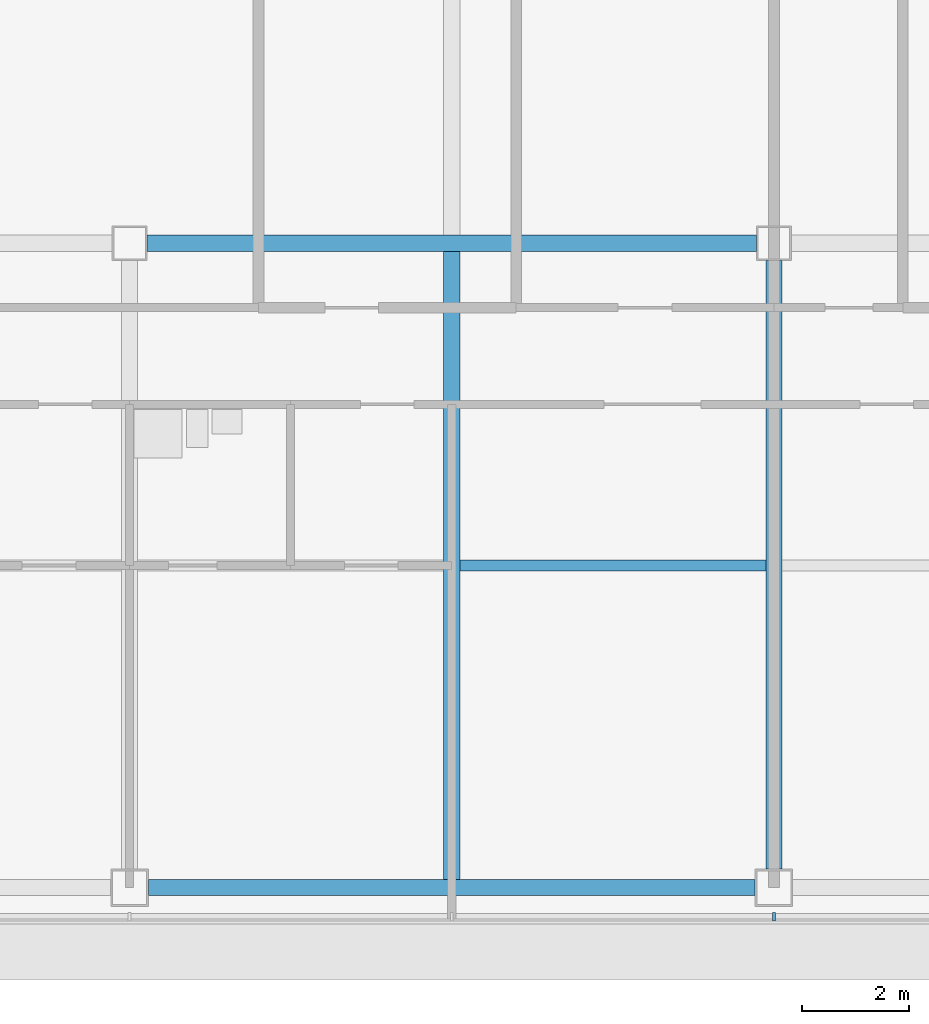
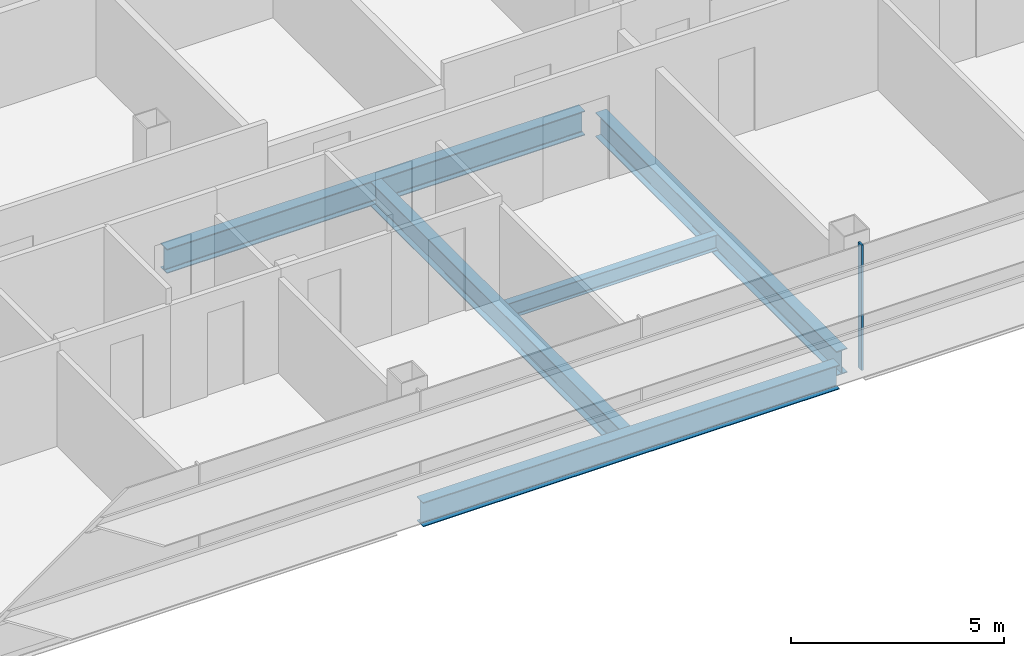
# One storey, part 3 of 26: 5 beams, 1 member, 1 element without a shape of its own.
"""IFC4 building model written with IfcOpenShell, lengths in metres."""

from ifc_helpers import new_model, si_unit, direction, frame, origin, origin_2d, place, context, subcontext, project, spatial, rectangle, i_section, extrude, material, material_profile, profile_set, type_object, element, aggregate, save


model = new_model("IFC4")

# Units and contexts
model_context = context("Model", 3, precision=1e-05, world=origin(), true_north=direction((0.0, 1.0)))
body_context = subcontext(model_context, "Body", "Model", "MODEL_VIEW")
ifc_project = project(units=[si_unit("LENGTHUNIT", "METRE"), si_unit("AREAUNIT", "SQUARE_METRE"), si_unit("VOLUMEUNIT", "CUBIC_METRE"), si_unit("PLANEANGLEUNIT", "RADIAN"), si_unit("MASSUNIT", "GRAM", prefix="KILO")], contexts=[model_context])

# Site, building, storey
site_placement = place(None, origin())
site = spatial("IfcSite", under=ifc_project, at=site_placement, CompositionType="ELEMENT")
building_placement = place(site_placement, origin())
building = spatial("IfcBuilding", under=site, at=building_placement, Name="Sorahane Residences", CompositionType="ELEMENT")
storey_placement = place(building_placement, frame((0.0, 0.0, 154.60009765625)))
storey = spatial("IfcBuildingStorey", under=building, at=storey_placement, Name="L35", CompositionType="ELEMENT", Elevation=154.60009765625)

# Curtain wall, member
ifc_material_1 = material(Name="Dark low-e glass and black anodised aluminium", Category="aluminium")
curtain_wall_type = type_object("IfcCurtainWallType", Name="Curtain wall CW-1 Typical unitised wall", PredefinedType="NOTDEFINED", material=ifc_material_1)
curtain_wall_placement = place(storey_placement, origin())
curtain_wall = element("IfcCurtainWall", 1, at=curtain_wall_placement, inside=storey, type_object=curtain_wall_type, Name="CW-1 curtain wall L35 S1", PredefinedType="NOTDEFINED")
ifc_material_2 = material(Name="Black anodised aluminium", Category="aluminium")
ifc_material_profile_1 = material_profile(ifc_material_2, rectangle(XDim=0.159912109375, YDim=0.050048828125, at=origin_2d()), Name="Curtain wall mullion CW-1 black anodised aluminium 50x160")
ifc_profile_set_1 = profile_set([ifc_material_profile_1], Name="Black anodised aluminium")
member_type = type_object("IfcMemberType", Name="Curtain wall mullion CW-1 black anodised aluminium 50x160", PredefinedType="MULLION", material=ifc_profile_set_1)
member_placement = place(storey_placement, frame((24.0, -0.5400390625, -0.18017578125), z_axis=(0.0, 0.0, 1.0), x_axis=(0.0, -1.0, 0.0)))
member = element("IfcMember", 2, at=member_placement, type_object=member_type, Name="CW-1 mullion L35 S1.5", PredefinedType="MULLION", context=body_context, shape_type="SweptSolid", body=[
    extrude(rectangle(XDim=0.159912109375, YDim=0.050048828125, at=origin_2d()), origin(), (0.0, 0.0, 1.0), 3.60009765625),
])
aggregate(curtain_wall, [member])

# Beams
ifc_material_3 = material(Name="Steel Q355B", Category="steel")
ifc_material_profile_2 = material_profile(ifc_material_3, i_section(OverallWidth=0.199951171875, OverallDepth=0.449951171875, WebThickness=0.009033203125, FlangeThickness=0.013916015625, FilletRadius=0.02001953125, at=origin_2d()), Name="HN 450x200x9x14")
ifc_profile_set_2 = profile_set([ifc_material_profile_2], Name="Steel Q355B")
beam_type_1 = type_object("IfcBeamType", Name="Steel floor beam HN 450x200x9x14 Q355B", PredefinedType="BEAM", material=ifc_profile_set_2)
beam_1_placement = place(storey_placement, frame((18.14990234375, 6.0, -0.405029296875), z_axis=(1.0, 0.0, 0.0), x_axis=(0.0, 1.0, 0.0)))
element("IfcBeam", 3, at=beam_1_placement, inside=storey, type_object=beam_type_1, Name="Beam L35 072", PredefinedType="BEAM", context=body_context, shape_type="SweptSolid", body=[
    extrude(i_section(OverallWidth=0.199951171875, OverallDepth=0.449951171875, WebThickness=0.009033203125, FlangeThickness=0.013916015625, FilletRadius=0.02001953125, at=origin_2d()), origin(), (0.0, 0.0, 1.0), 5.7001953125),
])
ifc_material_4 = material(Name="Steel Q355B", Category="steel")
ifc_material_profile_3 = material_profile(ifc_material_4, i_section(OverallWidth=0.300048828125, OverallDepth=0.699951171875, WebThickness=0.012939453125, FlangeThickness=0.02392578125, FilletRadius=0.028076171875, at=origin_2d()), Name="HN 700x300x13x24")
ifc_profile_set_3 = profile_set([ifc_material_profile_3], Name="Steel Q355B")
beam_type_2 = type_object("IfcBeamType", Name="Steel floor beam HN 700x300x13x24 Q355B", PredefinedType="BEAM", material=ifc_profile_set_3)
beam_2_placement = place(storey_placement, frame((12.35009765625, 0.0, -0.530029296875), z_axis=(1.0, 0.0, 0.0), x_axis=(0.0, 1.0, 0.0)))
element("IfcBeam", 4, at=beam_2_placement, inside=storey, type_object=beam_type_2, Name="Beam L35 001", PredefinedType="BEAM", context=body_context, shape_type="SweptSolid", body=[
    extrude(i_section(OverallWidth=0.300048828125, OverallDepth=0.699951171875, WebThickness=0.012939453125, FlangeThickness=0.02392578125, FilletRadius=0.028076171875, at=origin_2d()), origin(), (0.0, 0.0, 1.0), 11.2998046875),
])
beam_3_placement = place(storey_placement, frame((12.324951171875, 12.0, -0.530029296875), z_axis=(1.0, 0.0, 0.0), x_axis=(0.0, 1.0, 0.0)))
element("IfcBeam", 5, at=beam_3_placement, inside=storey, type_object=beam_type_2, Name="Beam L35 007", PredefinedType="BEAM", context=body_context, shape_type="SweptSolid", body=[
    extrude(i_section(OverallWidth=0.300048828125, OverallDepth=0.699951171875, WebThickness=0.012939453125, FlangeThickness=0.02392578125, FilletRadius=0.028076171875, at=origin_2d()), origin(), (0.0, 0.0, 1.0), 11.35009765625),
])
beam_4_placement = place(storey_placement, frame((18.0, 0.14990234375, -0.530029296875), z_axis=(0.0, 1.0, 0.0), x_axis=(-1.0, 0.0, 0.0)))
element("IfcBeam", 6, at=beam_4_placement, inside=storey, type_object=beam_type_2, Name="Beam L35 036", PredefinedType="BEAM", context=body_context, shape_type="SweptSolid", body=[
    extrude(i_section(OverallWidth=0.300048828125, OverallDepth=0.699951171875, WebThickness=0.012939453125, FlangeThickness=0.02392578125, FilletRadius=0.028076171875, at=origin_2d()), origin(), (0.0, 0.0, 1.0), 11.7001953125),
])
beam_5_placement = place(storey_placement, frame((24.0, 0.35009765625, -0.530029296875), z_axis=(0.0, 1.0, 0.0), x_axis=(-1.0, 0.0, 0.0)))
element("IfcBeam", 7, at=beam_5_placement, inside=storey, type_object=beam_type_2, Name="Beam L35 042", PredefinedType="BEAM", context=body_context, shape_type="SweptSolid", body=[
    extrude(i_section(OverallWidth=0.300048828125, OverallDepth=0.699951171875, WebThickness=0.012939453125, FlangeThickness=0.02392578125, FilletRadius=0.028076171875, at=origin_2d()), origin(), (0.0, 0.0, 1.0), 11.324951171875),
])

save(model, "model.ifc")
